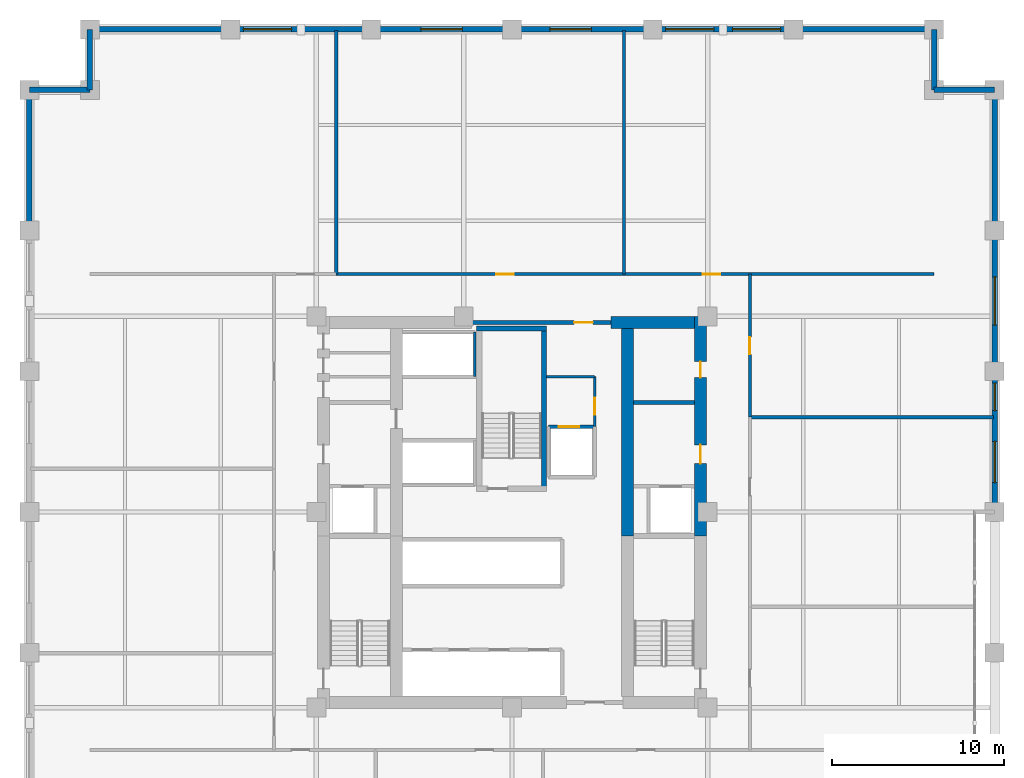
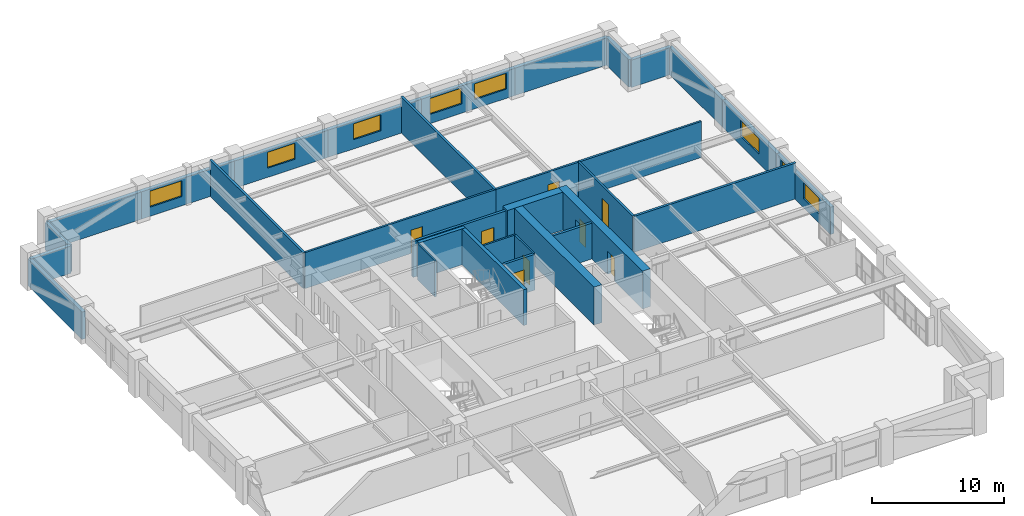
# One storey, part 6 of 10: 31 walls, 8 doors, 8 windows, 16 openings.
"""IFC4 building model written with IfcOpenShell, lengths in metres."""

from ifc_helpers import new_model, si_unit, direction, frame, frame_2d, origin, place, context, subcontext, project, spatial, rectangle, extrude, material, layer, layer_set, type_object, element, fill, save


model = new_model("IFC4")

# Units and contexts
model_context = context("Model", 3, precision=1e-05, world=origin(), true_north=direction((0.0, 1.0)))
body_context = subcontext(model_context, "Body", "Model", "MODEL_VIEW")
ifc_project = project(units=[si_unit("LENGTHUNIT", "METRE"), si_unit("AREAUNIT", "SQUARE_METRE"), si_unit("VOLUMEUNIT", "CUBIC_METRE"), si_unit("PLANEANGLEUNIT", "RADIAN"), si_unit("MASSUNIT", "GRAM", prefix="KILO")], contexts=[model_context])

# Site, building, storey
site_placement = place(None, origin())
site = spatial("IfcSite", under=ifc_project, at=site_placement, CompositionType="ELEMENT")
building_placement = place(site_placement, origin())
building = spatial("IfcBuilding", under=site, at=building_placement, Name="Nhamokura Convention Tower", CompositionType="ELEMENT")
storey_placement = place(building_placement, frame((0.0, 0.0, 89.25)))
storey = spatial("IfcBuildingStorey", under=building, at=storey_placement, Name="L21", CompositionType="ELEMENT", Elevation=89.25)

# Wall
ifc_material_1 = material(Name="Bronze-pigmented precast concrete C45/55", Category="concrete")
ifc_layer_1 = layer(ifc_material_1, 0.320068359375)
ifc_layer_set_1 = layer_set([ifc_layer_1], Name="BronzePrecastSpandrel_320")
wall_type_1 = type_object("IfcWallType", Name="BronzePrecastSpandrel_320", PredefinedType="USERDEFINED", material=ifc_layer_set_1)
wall_1_placement = place(storey_placement, frame((7.5, 60.0, 0.0), z_axis=(0.0, 0.0, 1.0), x_axis=(1.0, 0.0, 0.0)))
element("IfcWall", 1, at=wall_1_placement, inside=storey, type_object=wall_type_1, Name="L21 Braced-Bay Precast Wall NORTH 0", ObjectType="SPANDREL_WALL", PredefinedType="USERDEFINED", context=body_context, shape_type="SweptSolid", body=[
    extrude(rectangle(XDim=8.166748046875, YDim=0.320068359375, at=frame_2d((4.08349609375, 0.0))), origin(), (0.0, 0.0, 1.0), 2.52001953125),
])

# Wall, opening, window
wall_2_placement = place(storey_placement, frame((15.666748046875, 60.0, 0.0), z_axis=(0.0, 0.0, 1.0), x_axis=(1.0, 0.0, 0.0)))
wall_2 = element("IfcWall", 2, at=wall_2_placement, inside=storey, type_object=wall_type_1, Name="L21 Masonry-Frame Wall NORTH 1", ObjectType="SPANDREL_WALL", PredefinedType="USERDEFINED", context=body_context, shape_type="SweptSolid", body=[
    extrude(rectangle(XDim=8.16650390625, YDim=0.320068359375, at=frame_2d((4.083251953125, 0.0))), origin(), (0.0, 0.0, 1.0), 2.52001953125),
])
opening_1_placement = place(wall_2_placement, frame((0.74169921875, 0.0, 0.85009765625)))
opening_1 = element("IfcOpeningElement", 3, at=opening_1_placement, cuts=wall_2, Name="Opening W-04", PredefinedType="OPENING", context=body_context, shape_type="SweptSolid", body=[
    extrude(rectangle(XDim=2.800048828125, YDim=1.469970703125, at=frame_2d((1.39990234375, 0.73486328125))), frame((0.0, 0.169921875, 0.0), z_axis=(0.0, -1.0, 0.0), x_axis=(1.0, 0.0, 0.0)), (0.0, 0.0, 1.0), 0.340087890625),
])
ifc_material_2 = material(Name="Solar-control bronze low-E double glass", Category="glass")
window_type_1 = type_object("IfcWindowType", Name="HotelSuiteWindow_2800", PartitioningType="DOUBLE_PANEL_VERTICAL", PredefinedType="WINDOW", material=ifc_material_2)
window_1_placement = place(opening_1_placement, origin())
window_1 = element("IfcWindow", 4, at=window_1_placement, inside=storey, type_object=window_type_1, Name="L21 Facade Window NORTH 1-1", OverallHeight=1.469970703125, OverallWidth=2.800048828125, PartitioningType="SINGLE_PANEL", PredefinedType="WINDOW", context=body_context, shape_type="SweptSolid", body=[
    extrude(rectangle(XDim=2.800048828125, YDim=1.469970703125, at=frame_2d((1.39990234375, 0.73486328125))), frame((0.0, 0.030029296875, 0.0), z_axis=(0.0, -1.0, 0.0), x_axis=(1.0, 0.0, 0.0)), (0.0, 0.0, 1.0), 0.06005859375),
])
fill(opening_1, window_1)

wall_3_placement = place(storey_placement, frame((23.833251953125, 60.0, 0.0), z_axis=(0.0, 0.0, 1.0), x_axis=(1.0, 0.0, 0.0)))
wall_3 = element("IfcWall", 5, at=wall_3_placement, inside=storey, type_object=wall_type_1, Name="L21 Masonry-Frame Wall NORTH 2", ObjectType="SPANDREL_WALL", PredefinedType="USERDEFINED", context=body_context, shape_type="SweptSolid", body=[
    extrude(rectangle(XDim=8.166748046875, YDim=0.320068359375, at=frame_2d((4.08349609375, 0.0))), origin(), (0.0, 0.0, 1.0), 2.52001953125),
])
opening_2_placement = place(wall_3_placement, frame((2.88330078125, 0.0, 0.85009765625)))
opening_2 = element("IfcOpeningElement", 6, at=opening_2_placement, cuts=wall_3, Name="Opening W-03", PredefinedType="OPENING", context=body_context, shape_type="SweptSolid", body=[
    extrude(rectangle(XDim=2.39990234375, YDim=1.469970703125, at=frame_2d((1.199951171875, 0.73486328125))), frame((0.0, 0.169921875, 0.0), z_axis=(0.0, -1.0, 0.0), x_axis=(1.0, 0.0, 0.0)), (0.0, 0.0, 1.0), 0.340087890625),
])
ifc_material_3 = material(Name="Solar-control bronze low-E double glass", Category="glass")
window_type_2 = type_object("IfcWindowType", Name="HotelBayWindow_2400", PartitioningType="DOUBLE_PANEL_VERTICAL", PredefinedType="WINDOW", material=ifc_material_3)
window_2_placement = place(opening_2_placement, origin())
window_2 = element("IfcWindow", 7, at=window_2_placement, inside=storey, type_object=window_type_2, Name="L21 Facade Window NORTH 2", OverallHeight=1.469970703125, OverallWidth=2.39990234375, PartitioningType="SINGLE_PANEL", PredefinedType="WINDOW", context=body_context, shape_type="SweptSolid", body=[
    extrude(rectangle(XDim=2.39990234375, YDim=1.469970703125, at=frame_2d((1.199951171875, 0.73486328125))), frame((0.0, 0.030029296875, 0.0), z_axis=(0.0, -1.0, 0.0), x_axis=(1.0, 0.0, 0.0)), (0.0, 0.0, 1.0), 0.06005859375),
])
fill(opening_2, window_2)

wall_4_placement = place(storey_placement, frame((32.0, 60.0, 0.0), z_axis=(0.0, 0.0, 1.0), x_axis=(1.0, 0.0, 0.0)))
wall_4 = element("IfcWall", 8, at=wall_4_placement, inside=storey, type_object=wall_type_1, Name="L21 Masonry-Frame Wall NORTH 3", ObjectType="SPANDREL_WALL", PredefinedType="USERDEFINED", context=body_context, shape_type="SweptSolid", body=[
    extrude(rectangle(XDim=8.166748046875, YDim=0.320068359375, at=frame_2d((4.08349609375, 0.0))), origin(), (0.0, 0.0, 1.0), 2.52001953125),
])
opening_3_placement = place(wall_4_placement, frame((2.199951171875, 0.0, 0.85009765625)))
opening_3 = element("IfcOpeningElement", 9, at=opening_3_placement, cuts=wall_4, Name="Opening W-03", PredefinedType="OPENING", context=body_context, shape_type="SweptSolid", body=[
    extrude(rectangle(XDim=2.39990234375, YDim=1.469970703125, at=frame_2d((1.199951171875, 0.73486328125))), frame((0.0, 0.169921875, 0.0), z_axis=(0.0, -1.0, 0.0), x_axis=(1.0, 0.0, 0.0)), (0.0, 0.0, 1.0), 0.340087890625),
])
window_3_placement = place(opening_3_placement, origin())
window_3 = element("IfcWindow", 10, at=window_3_placement, inside=storey, type_object=window_type_2, Name="L21 Facade Window NORTH 3-1", OverallHeight=1.469970703125, OverallWidth=2.39990234375, PartitioningType="SINGLE_PANEL", PredefinedType="WINDOW", context=body_context, shape_type="SweptSolid", body=[
    extrude(rectangle(XDim=2.39990234375, YDim=1.469970703125, at=frame_2d((1.199951171875, 0.73486328125))), frame((0.0, 0.030029296875, 0.0), z_axis=(0.0, -1.0, 0.0), x_axis=(1.0, 0.0, 0.0)), (0.0, 0.0, 1.0), 0.06005859375),
])
fill(opening_3, window_3)

# Wall, openings, windows
wall_5_placement = place(storey_placement, frame((40.166748046875, 60.0, 0.0), z_axis=(0.0, 0.0, 1.0), x_axis=(1.0, 0.0, 0.0)))
wall_5 = element("IfcWall", 11, at=wall_5_placement, inside=storey, type_object=wall_type_1, Name="L21 Masonry-Frame Wall NORTH 4", ObjectType="SPANDREL_WALL", PredefinedType="USERDEFINED", context=body_context, shape_type="SweptSolid", body=[
    extrude(rectangle(XDim=8.16650390625, YDim=0.320068359375, at=frame_2d((4.083251953125, 0.0))), origin(), (0.0, 0.0, 1.0), 2.52001953125),
])
opening_4_placement = place(wall_5_placement, frame((0.74169921875, 0.0, 0.85009765625)))
opening_4 = element("IfcOpeningElement", 12, at=opening_4_placement, cuts=wall_5, Name="Opening W-04", PredefinedType="OPENING", context=body_context, shape_type="SweptSolid", body=[
    extrude(rectangle(XDim=2.800048828125, YDim=1.469970703125, at=frame_2d((1.39990234375, 0.73486328125))), frame((0.0, 0.169921875, 0.0), z_axis=(0.0, -1.0, 0.0), x_axis=(1.0, 0.0, 0.0)), (0.0, 0.0, 1.0), 0.340087890625),
])
opening_5_placement = place(wall_5_placement, frame((4.625, 0.0, 0.85009765625)))
opening_5 = element("IfcOpeningElement", 13, at=opening_5_placement, cuts=wall_5, Name="Opening W-04", PredefinedType="OPENING", context=body_context, shape_type="SweptSolid", body=[
    extrude(rectangle(XDim=2.800048828125, YDim=1.469970703125, at=frame_2d((1.39990234375, 0.73486328125))), frame((0.0, 0.169921875, 0.0), z_axis=(0.0, -1.0, 0.0), x_axis=(1.0, 0.0, 0.0)), (0.0, 0.0, 1.0), 0.340087890625),
])
window_4_placement = place(opening_4_placement, origin())
window_4 = element("IfcWindow", 14, at=window_4_placement, inside=storey, type_object=window_type_1, Name="L21 Facade Window NORTH 4-1", OverallHeight=1.469970703125, OverallWidth=2.800048828125, PartitioningType="SINGLE_PANEL", PredefinedType="WINDOW", context=body_context, shape_type="SweptSolid", body=[
    extrude(rectangle(XDim=2.800048828125, YDim=1.469970703125, at=frame_2d((1.39990234375, 0.73486328125))), frame((0.0, 0.030029296875, 0.0), z_axis=(0.0, -1.0, 0.0), x_axis=(1.0, 0.0, 0.0)), (0.0, 0.0, 1.0), 0.06005859375),
])
fill(opening_4, window_4)
window_5_placement = place(opening_5_placement, origin())
window_5 = element("IfcWindow", 15, at=window_5_placement, inside=storey, type_object=window_type_1, Name="L21 Facade Window NORTH 4-2", OverallHeight=1.469970703125, OverallWidth=2.800048828125, PartitioningType="SINGLE_PANEL", PredefinedType="WINDOW", context=body_context, shape_type="SweptSolid", body=[
    extrude(rectangle(XDim=2.800048828125, YDim=1.469970703125, at=frame_2d((1.39990234375, 0.73486328125))), frame((0.0, 0.030029296875, 0.0), z_axis=(0.0, -1.0, 0.0), x_axis=(1.0, 0.0, 0.0)), (0.0, 0.0, 1.0), 0.06005859375),
])
fill(opening_5, window_5)

# Walls
for number, where, z_axis, x_axis, name in (
    (16, (48.333251953125, 60.0, 0.0), (0.0, 0.0, 1.0), (1.0, 0.0, 0.0), "L21 Braced-Bay Precast Wall NORTH 5"),
    (17, (4.0, 48.333251953125, 0.0), (0.0, 0.0, 1.0), (0.0, 1.0, 0.0), "L21 Braced-Bay Precast Wall WEST 5"),
):
    element("IfcWall", number, at=place(storey_placement, frame(where, z_axis=z_axis, x_axis=x_axis)), inside=storey, type_object=wall_type_1, Name=name, ObjectType="SPANDREL_WALL", PredefinedType="USERDEFINED", context=body_context, shape_type="SweptSolid", body=[
        extrude(rectangle(XDim=8.166748046875, YDim=0.320068359375, at=frame_2d((4.08349609375, 0.0))), origin(), (0.0, 0.0, 1.0), 2.52001953125),
    ])

# Wall, openings, windows
wall_6_placement = place(storey_placement, frame((60.0, 40.166748046875, 0.0), z_axis=(0.0, 0.0, 1.0), x_axis=(0.0, -1.0, 0.0)))
wall_6 = element("IfcWall", 18, at=wall_6_placement, inside=storey, type_object=wall_type_1, Name="L21 Masonry-Frame Wall EAST 3", ObjectType="SPANDREL_WALL", PredefinedType="USERDEFINED", context=body_context, shape_type="SweptSolid", body=[
    extrude(rectangle(XDim=8.166748046875, YDim=0.320068359375, at=frame_2d((4.08349609375, 0.0))), origin(), (0.0, 0.0, 1.0), 2.52001953125),
])
opening_6_placement = place(wall_6_placement, frame((0.683349609375, 0.0, 0.85009765625)))
opening_6 = element("IfcOpeningElement", 19, at=opening_6_placement, cuts=wall_6, Name="Opening W-11", PredefinedType="OPENING", context=body_context, shape_type="SweptSolid", body=[
    extrude(rectangle(XDim=1.60009765625, YDim=1.469970703125, at=frame_2d((0.800048828125, 0.73486328125))), frame((0.0, 0.169921875, 0.0), z_axis=(0.0, -1.0, 0.0), x_axis=(1.0, 0.0, 0.0)), (0.0, 0.0, 1.0), 0.340087890625),
])
opening_7_placement = place(wall_6_placement, frame((4.066650390625, 0.0, 0.85009765625)))
opening_7 = element("IfcOpeningElement", 20, at=opening_7_placement, cuts=wall_6, Name="Opening W-03", PredefinedType="OPENING", context=body_context, shape_type="SweptSolid", body=[
    extrude(rectangle(XDim=2.39990234375, YDim=1.469970703125, at=frame_2d((1.199951171875, 0.73486328125))), frame((0.0, 0.169921875, 0.0), z_axis=(0.0, -1.0, 0.0), x_axis=(1.0, 0.0, 0.0)), (0.0, 0.0, 1.0), 0.340087890625),
])
window_6_placement = place(opening_7_placement, origin())
window_6 = element("IfcWindow", 21, at=window_6_placement, inside=storey, type_object=window_type_2, Name="L21 Facade Window EAST 3-2", OverallHeight=1.469970703125, OverallWidth=2.39990234375, PartitioningType="SINGLE_PANEL", PredefinedType="WINDOW", context=body_context, shape_type="SweptSolid", body=[
    extrude(rectangle(XDim=2.39990234375, YDim=1.469970703125, at=frame_2d((1.199951171875, 0.73486328125))), frame((0.0, 0.030029296875, 0.0), z_axis=(0.0, -1.0, 0.0), x_axis=(1.0, 0.0, 0.0)), (0.0, 0.0, 1.0), 0.06005859375),
])
fill(opening_7, window_6)
ifc_material_4 = material(Name="Solar-control bronze low-E double glass", Category="glass")
window_type_3 = type_object("IfcWindowType", Name="NotchCornerWindow_1600", PartitioningType="SINGLE_PANEL", PredefinedType="WINDOW", material=ifc_material_4)
window_7_placement = place(opening_6_placement, origin())
window_7 = element("IfcWindow", 22, at=window_7_placement, inside=storey, type_object=window_type_3, Name="L21 Facade Window EAST 3-1", OverallHeight=1.469970703125, OverallWidth=1.60009765625, PartitioningType="SINGLE_PANEL", PredefinedType="WINDOW", context=body_context, shape_type="SweptSolid", body=[
    extrude(rectangle(XDim=1.60009765625, YDim=1.469970703125, at=frame_2d((0.800048828125, 0.73486328125))), frame((0.0, 0.030029296875, 0.0), z_axis=(0.0, -1.0, 0.0), x_axis=(1.0, 0.0, 0.0)), (0.0, 0.0, 1.0), 0.06005859375),
])
fill(opening_6, window_7)

# Wall, opening, window
wall_7_placement = place(storey_placement, frame((60.0, 48.333251953125, 0.0), z_axis=(0.0, 0.0, 1.0), x_axis=(0.0, -1.0, 0.0)))
wall_7 = element("IfcWall", 23, at=wall_7_placement, inside=storey, type_object=wall_type_1, Name="L21 Masonry-Frame Wall EAST 4", ObjectType="SPANDREL_WALL", PredefinedType="USERDEFINED", context=body_context, shape_type="SweptSolid", body=[
    extrude(rectangle(XDim=8.16650390625, YDim=0.320068359375, at=frame_2d((4.083251953125, 0.0))), origin(), (0.0, 0.0, 1.0), 2.52001953125),
])
opening_8_placement = place(wall_7_placement, frame((2.683349609375, 0.0, 0.85009765625)))
opening_8 = element("IfcOpeningElement", 24, at=opening_8_placement, cuts=wall_7, Name="Opening W-04", PredefinedType="OPENING", context=body_context, shape_type="SweptSolid", body=[
    extrude(rectangle(XDim=2.800048828125, YDim=1.469970703125, at=frame_2d((1.39990234375, 0.73486328125))), frame((0.0, 0.169921875, 0.0), z_axis=(0.0, -1.0, 0.0), x_axis=(1.0, 0.0, 0.0)), (0.0, 0.0, 1.0), 0.340087890625),
])
window_8_placement = place(opening_8_placement, origin())
window_8 = element("IfcWindow", 25, at=window_8_placement, inside=storey, type_object=window_type_1, Name="L21 Facade Window EAST 4", OverallHeight=1.469970703125, OverallWidth=2.800048828125, PartitioningType="SINGLE_PANEL", PredefinedType="WINDOW", context=body_context, shape_type="SweptSolid", body=[
    extrude(rectangle(XDim=2.800048828125, YDim=1.469970703125, at=frame_2d((1.39990234375, 0.73486328125))), frame((0.0, 0.030029296875, 0.0), z_axis=(0.0, -1.0, 0.0), x_axis=(1.0, 0.0, 0.0)), (0.0, 0.0, 1.0), 0.06005859375),
])
fill(opening_8, window_8)

# Walls
wall_8_placement = place(storey_placement, frame((60.0, 56.5, 0.0), z_axis=(0.0, 0.0, 1.0), x_axis=(0.0, -1.0, 0.0)))
element("IfcWall", 26, at=wall_8_placement, inside=storey, type_object=wall_type_1, Name="L21 Braced-Bay Precast Wall EAST 5", ObjectType="SPANDREL_WALL", PredefinedType="USERDEFINED", context=body_context, shape_type="SweptSolid", body=[
    extrude(rectangle(XDim=8.166748046875, YDim=0.320068359375, at=frame_2d((4.08349609375, 0.0))), origin(), (0.0, 0.0, 1.0), 2.52001953125),
])
for number, where, z_axis, x_axis, name in (
    (27, (56.5, 56.5, 0.0), (0.0, 0.0, 1.0), (1.0, 0.0, 0.0), "L21 Notched Corner Wall NE1"),
    (28, (56.5, 60.0, 0.0), (0.0, 0.0, 1.0), (0.0, -1.0, 0.0), "L21 Notched Corner Wall NE2"),
    (29, (7.5, 56.5, 0.0), (0.0, 0.0, 1.0), (0.0, 1.0, 0.0), "L21 Notched Corner Wall NW1"),
    (30, (4.0, 56.5, 0.0), (0.0, 0.0, 1.0), (1.0, 0.0, 0.0), "L21 Notched Corner Wall NW2"),
):
    element("IfcWall", number, at=place(storey_placement, frame(where, z_axis=z_axis, x_axis=x_axis)), inside=storey, type_object=wall_type_1, Name=name, ObjectType="SPANDREL_WALL", PredefinedType="USERDEFINED", context=body_context, shape_type="SweptSolid", body=[
        extrude(rectangle(XDim=3.5, YDim=0.320068359375, at=frame_2d((1.75, 0.0))), origin(), (0.0, 0.0, 1.0), 2.52001953125),
    ])

# Wall, openings, doors
ifc_material_5 = material(Name="Concrete C70/85", Category="concrete")
ifc_layer_2 = layer(ifc_material_5, 0.699951171875)
ifc_layer_set_2 = layer_set([ifc_layer_2], Name="CoreShearWall_700")
wall_type_2 = type_object("IfcWallType", Name="CoreShearWall_700", PredefinedType="SHEAR", material=ifc_layer_set_2)
wall_9_placement = place(storey_placement, frame((42.93994140625, 30.60009765625, 0.0), z_axis=(0.0, 0.0, 1.0), x_axis=(0.0, 1.0, 0.0)))
wall_9 = element("IfcWall", 31, at=wall_9_placement, inside=storey, type_object=wall_type_2, Name="L21 Core Shear Wall CW-EN", PredefinedType="SHEAR", context=body_context, shape_type="SweptSolid", body=[
    extrude(rectangle(XDim=12.75, YDim=0.699951171875, at=frame_2d((6.375, 0.0))), origin(), (0.0, 0.0, 1.0), 3.5),
])
opening_9_placement = place(wall_9_placement, frame((4.199951171875, 0.0, 0.0)))
opening_9 = element("IfcOpeningElement", 32, at=opening_9_placement, cuts=wall_9, Name="Opening D-05", PredefinedType="OPENING", context=body_context, shape_type="SweptSolid", body=[
    extrude(rectangle(XDim=1.10009765625, YDim=2.14990234375, at=frame_2d((0.550048828125, 1.074951171875))), frame((0.0, 0.35986328125, 0.0), z_axis=(0.0, -1.0, 0.0), x_axis=(1.0, 0.0, 0.0)), (0.0, 0.0, 1.0), 0.719970703125),
])
opening_10_placement = place(wall_9_placement, frame((9.199951171875, 0.0, 0.0)))
opening_10 = element("IfcOpeningElement", 33, at=opening_10_placement, cuts=wall_9, Name="Opening D-10", PredefinedType="OPENING", context=body_context, shape_type="SweptSolid", body=[
    extrude(rectangle(XDim=0.919921875, YDim=2.10009765625, at=frame_2d((0.4599609375, 1.050048828125))), frame((0.0, 0.35986328125, 0.0), z_axis=(0.0, -1.0, 0.0), x_axis=(1.0, 0.0, 0.0)), (0.0, 0.0, 1.0), 0.719970703125),
])
ifc_material_6 = material(Name="Solid oak hardwood", Category="wood")
door_type_1 = type_object("IfcDoorType", Name="AccessibleWCDoor_920", OperationType="NOTDEFINED", PredefinedType="DOOR", material=ifc_material_6)
door_1_placement = place(opening_10_placement, origin())
door_1 = element("IfcDoor", 34, at=door_1_placement, inside=storey, type_object=door_type_1, Name="L21 Core Door INT-L21-D-UWC", OperationType="SINGLE_SWING_RIGHT", OverallHeight=2.10009765625, OverallWidth=0.919921875, PredefinedType="DOOR", context=body_context, shape_type="SweptSolid", body=[
    extrude(rectangle(XDim=0.919921875, YDim=2.10009765625, at=frame_2d((0.4599609375, 1.050048828125))), frame((0.0, 0.02490234375, 0.0), z_axis=(0.0, -1.0, 0.0), x_axis=(1.0, 0.0, 0.0)), (0.0, 0.0, 1.0), 0.050048828125),
])
fill(opening_10, door_1)
ifc_material_7 = material(Name="Fire-rated steel door", Category="steel")
door_type_2 = type_object("IfcDoorType", Name="FireLobbyDoor_1100", OperationType="NOTDEFINED", PredefinedType="DOOR", material=ifc_material_7)
door_2_placement = place(opening_9_placement, origin())
door_2 = element("IfcDoor", 35, at=door_2_placement, inside=storey, type_object=door_type_2, Name="L21 Core Door INT-L21-D-FFLE", OperationType="SINGLE_SWING_LEFT", OverallHeight=2.14990234375, OverallWidth=1.10009765625, PredefinedType="DOOR", context=body_context, shape_type="SweptSolid", body=[
    extrude(rectangle(XDim=1.10009765625, YDim=2.14990234375, at=frame_2d((0.550048828125, 1.074951171875))), frame((0.0, 0.02490234375, 0.0), z_axis=(0.0, -1.0, 0.0), x_axis=(1.0, 0.0, 0.0)), (0.0, 0.0, 1.0), 0.050048828125),
])
fill(opening_9, door_2)

# Walls
wall_10_placement = place(storey_placement, frame((37.75, 43.0, 0.0), z_axis=(0.0, 0.0, 1.0), x_axis=(1.0, 0.0, 0.0)))
element("IfcWall", 36, at=wall_10_placement, inside=storey, type_object=wall_type_2, Name="L21 Core Shear Wall CW-N2", PredefinedType="SHEAR", context=body_context, shape_type="SweptSolid", body=[
    extrude(rectangle(XDim=4.840087890625, YDim=0.699951171875, at=frame_2d((2.419921875, 0.0))), origin(), (0.0, 0.0, 1.0), 3.5),
])
wall_11_placement = place(storey_placement, frame((38.7099609375, 30.60009765625, 0.0), z_axis=(0.0, 0.0, 1.0), x_axis=(0.0, 1.0, 0.0)))
element("IfcWall", 37, at=wall_11_placement, inside=storey, type_object=wall_type_2, Name="L21 Core Shear Wall CW-IEN", PredefinedType="SHEAR", context=body_context, shape_type="SweptSolid", body=[
    extrude(rectangle(XDim=12.0498046875, YDim=0.699951171875, at=frame_2d((6.02490234375, 0.0))), origin(), (0.0, 0.0, 1.0), 3.5),
])

# Wall, opening, door
ifc_material_8 = material(Name="Fire-rated gypsum and masonry partition", Category="masonry")
ifc_layer_3 = layer(ifc_material_8, 0.179931640625)
ifc_layer_set_3 = layer_set([ifc_layer_3], Name="CorridorRatedWall_180")
wall_type_3 = type_object("IfcWallType", Name="CorridorRatedWall_180", PredefinedType="STANDARD", material=ifc_layer_set_3)
wall_12_placement = place(storey_placement, frame((21.800048828125, 45.800048828125, 0.0), z_axis=(0.0, 0.0, 1.0), x_axis=(1.0, 0.0, 0.0)))
wall_12 = element("IfcWall", 38, at=wall_12_placement, inside=storey, type_object=wall_type_3, Name="L21 Wall INT-L21-CW-N01", PredefinedType="STANDARD", context=body_context, shape_type="SweptSolid", body=[
    extrude(rectangle(XDim=16.699951171875, YDim=0.179931640625, at=frame_2d((8.35009765625, 0.0))), origin(), (0.0, 0.0, 1.0), 3.320068359375),
])
opening_11_placement = place(wall_12_placement, frame((9.300048828125, 0.0, 0.0)))
opening_11 = element("IfcOpeningElement", 39, at=opening_11_placement, cuts=wall_12, Name="Opening D-07", PredefinedType="OPENING", context=body_context, shape_type="SweptSolid", body=[
    extrude(rectangle(XDim=1.0, YDim=2.14990234375, at=frame_2d((0.5, 1.074951171875))), frame((0.0, 0.099853515625, 0.0), z_axis=(0.0, -1.0, 0.0), x_axis=(1.0, 0.0, 0.0)), (0.0, 0.0, 1.0), 0.199951171875),
])
ifc_material_9 = material(Name="Solid oak hardwood", Category="wood")
door_type_3 = type_object("IfcDoorType", Name="HotelSuiteEntryDoor_1000", OperationType="NOTDEFINED", PredefinedType="DOOR", material=ifc_material_9)
door_3_placement = place(opening_11_placement, origin())
door_3 = element("IfcDoor", 40, at=door_3_placement, inside=storey, type_object=door_type_3, Name="L21 Delegate Lounge N02 Door", OperationType="SINGLE_SWING_RIGHT", OverallHeight=2.14990234375, OverallWidth=1.0, PredefinedType="DOOR", context=body_context, shape_type="SweptSolid", body=[
    extrude(rectangle(XDim=1.0, YDim=2.14990234375, at=frame_2d((0.5, 1.074951171875))), frame((0.0, 0.02490234375, 0.0), z_axis=(0.0, -1.0, 0.0), x_axis=(1.0, 0.0, 0.0)), (0.0, 0.0, 1.0), 0.050048828125),
])
fill(opening_11, door_3)

wall_13_placement = place(storey_placement, frame((38.5, 45.800048828125, 0.0), z_axis=(0.0, 0.0, 1.0), x_axis=(1.0, 0.0, 0.0)))
wall_13 = element("IfcWall", 41, at=wall_13_placement, inside=storey, type_object=wall_type_3, Name="L21 Wall INT-L21-CW-N02", PredefinedType="STANDARD", context=body_context, shape_type="SweptSolid", body=[
    extrude(rectangle(XDim=18.0, YDim=0.179931640625, at=frame_2d((9.0, 0.0))), origin(), (0.0, 0.0, 1.0), 3.320068359375),
])
opening_12_placement = place(wall_13_placement, frame((4.574951171875, 0.0, 0.0)))
opening_12 = element("IfcOpeningElement", 42, at=opening_12_placement, cuts=wall_13, Name="Opening D-07", PredefinedType="OPENING", context=body_context, shape_type="SweptSolid", body=[
    extrude(rectangle(XDim=1.0, YDim=2.14990234375, at=frame_2d((0.5, 1.074951171875))), frame((0.0, 0.099853515625, 0.0), z_axis=(0.0, -1.0, 0.0), x_axis=(1.0, 0.0, 0.0)), (0.0, 0.0, 1.0), 0.199951171875),
])
door_4_placement = place(opening_12_placement, origin())
door_4 = element("IfcDoor", 43, at=door_4_placement, inside=storey, type_object=door_type_3, Name="L21 Conference Salon N03 Door", OperationType="SINGLE_SWING_LEFT", OverallHeight=2.14990234375, OverallWidth=1.0, PredefinedType="DOOR", context=body_context, shape_type="SweptSolid", body=[
    extrude(rectangle(XDim=1.0, YDim=2.14990234375, at=frame_2d((0.5, 1.074951171875))), frame((0.0, 0.02490234375, 0.0), z_axis=(0.0, -1.0, 0.0), x_axis=(1.0, 0.0, 0.0)), (0.0, 0.0, 1.0), 0.050048828125),
])
fill(opening_12, door_4)

wall_14_placement = place(storey_placement, frame((45.800048828125, 37.5, 0.0), z_axis=(0.0, 0.0, 1.0), x_axis=(0.0, 1.0, 0.0)))
wall_14 = element("IfcWall", 44, at=wall_14_placement, inside=storey, type_object=wall_type_3, Name="L21 Wall INT-L21-CW-E02", PredefinedType="STANDARD", context=body_context, shape_type="SweptSolid", body=[
    extrude(rectangle(XDim=8.300048828125, YDim=0.179931640625, at=frame_2d((4.14990234375, 0.0))), origin(), (0.0, 0.0, 1.0), 3.320068359375),
])
opening_13_placement = place(wall_14_placement, frame((3.64990234375, 0.0, 0.0)))
opening_13 = element("IfcOpeningElement", 45, at=opening_13_placement, cuts=wall_14, Name="Opening D-07", PredefinedType="OPENING", context=body_context, shape_type="SweptSolid", body=[
    extrude(rectangle(XDim=1.0, YDim=2.14990234375, at=frame_2d((0.5, 1.074951171875))), frame((0.0, 0.099853515625, 0.0), z_axis=(0.0, -1.0, 0.0), x_axis=(1.0, 0.0, 0.0)), (0.0, 0.0, 1.0), 0.199951171875),
])
door_5_placement = place(opening_13_placement, origin())
door_5 = element("IfcDoor", 46, at=door_5_placement, inside=storey, type_object=door_type_3, Name="L21 Pantry E03 Door", OperationType="SINGLE_SWING_LEFT", OverallHeight=2.14990234375, OverallWidth=1.0, PredefinedType="DOOR", context=body_context, shape_type="SweptSolid", body=[
    extrude(rectangle(XDim=1.0, YDim=2.14990234375, at=frame_2d((0.5, 1.074951171875))), frame((0.0, 0.02490234375, 0.0), z_axis=(0.0, -1.0, 0.0), x_axis=(1.0, 0.0, 0.0)), (0.0, 0.0, 1.0), 0.050048828125),
])
fill(opening_13, door_5)

# Wall
ifc_material_10 = material(Name="Autoclaved concrete blockwork", Category="masonry")
ifc_layer_4 = layer(ifc_material_10, 0.219970703125)
ifc_layer_set_4 = layer_set([ifc_layer_4], Name="FireLobbyWall_220")
wall_type_4 = type_object("IfcWallType", Name="FireLobbyWall_220", PredefinedType="STANDARD", material=ifc_layer_set_4)
wall_15_placement = place(storey_placement, frame((39.06005859375, 38.35009765625, 0.0), z_axis=(0.0, 0.0, 1.0), x_axis=(1.0, 0.0, 0.0)))
element("IfcWall", 47, at=wall_15_placement, inside=storey, type_object=wall_type_4, Name="L21 Wall INT-L21-FFE-N", PredefinedType="STANDARD", context=body_context, shape_type="SweptSolid", body=[
    extrude(rectangle(XDim=3.530029296875, YDim=0.219970703125, at=frame_2d((1.76513671875, 0.0))), origin(), (0.0, 0.0, 1.0), 3.320068359375),
])

# Wall, opening, door
wall_16_placement = place(storey_placement, frame((29.64990234375, 43.0, 0.0), z_axis=(0.0, 0.0, 1.0), x_axis=(1.0, 0.0, 0.0)))
wall_16 = element("IfcWall", 48, at=wall_16_placement, inside=storey, type_object=wall_type_4, Name="L21 Wall INT-L21-CPORT-N", PredefinedType="STANDARD", context=body_context, shape_type="SweptSolid", body=[
    extrude(rectangle(XDim=8.10009765625, YDim=0.219970703125, at=frame_2d((4.050048828125, 0.0))), origin(), (0.0, 0.0, 1.0), 3.320068359375),
])
opening_14_placement = place(wall_16_placement, frame((5.949951171875, 0.0, 0.0)))
opening_14 = element("IfcOpeningElement", 49, at=opening_14_placement, cuts=wall_16, Name="Opening D-05", PredefinedType="OPENING", context=body_context, shape_type="SweptSolid", body=[
    extrude(rectangle(XDim=1.10009765625, YDim=2.14990234375, at=frame_2d((0.550048828125, 1.074951171875))), frame((0.0, 0.119873046875, 0.0), z_axis=(0.0, -1.0, 0.0), x_axis=(1.0, 0.0, 0.0)), (0.0, 0.0, 1.0), 0.239990234375),
])
door_6_placement = place(opening_14_placement, origin())
door_6 = element("IfcDoor", 50, at=door_6_placement, inside=storey, type_object=door_type_2, Name="L21 North Core Lobby Portal Door", OperationType="SINGLE_SWING_RIGHT", OverallHeight=2.14990234375, OverallWidth=1.10009765625, PredefinedType="DOOR", context=body_context, shape_type="SweptSolid", body=[
    extrude(rectangle(XDim=1.10009765625, YDim=2.14990234375, at=frame_2d((0.550048828125, 1.074951171875))), frame((0.0, 0.02490234375, 0.0), z_axis=(0.0, -1.0, 0.0), x_axis=(1.0, 0.0, 0.0)), (0.0, 0.0, 1.0), 0.050048828125),
])
fill(opening_14, door_6)

wall_17_placement = place(storey_placement, frame((34.1201171875, 36.949951171875, 0.0), z_axis=(0.0, 0.0, 1.0), x_axis=(1.0, 0.0, 0.0)))
wall_17 = element("IfcWall", 51, at=wall_17_placement, inside=storey, type_object=wall_type_4, Name="L21 Wall INT-L21-LSN", PredefinedType="STANDARD", context=body_context, shape_type="SweptSolid", body=[
    extrude(rectangle(XDim=2.679931640625, YDim=0.219970703125, at=frame_2d((1.33984375, 0.0))), origin(), (0.0, 0.0, 1.0), 3.320068359375),
])
opening_15_placement = place(wall_17_placement, frame((0.580078125, 0.0, 0.0)))
opening_15 = element("IfcOpeningElement", 52, at=opening_15_placement, cuts=wall_17, Name="Opening LD-02", PredefinedType="OPENING", context=body_context, shape_type="SweptSolid", body=[
    extrude(rectangle(XDim=1.199951171875, YDim=2.199951171875, at=frame_2d((0.60009765625, 1.10009765625))), frame((0.0, 0.119873046875, 0.0), z_axis=(0.0, -1.0, 0.0), x_axis=(1.0, 0.0, 0.0)), (0.0, 0.0, 1.0), 0.239990234375),
])
ifc_material_11 = material(Name="Anodised bronze stainless steel", Category="steel")
door_type_4 = type_object("IfcDoorType", Name="LiftLandingDoor_FireService", OperationType="DOUBLE_DOOR_SLIDING", PredefinedType="DOOR", material=ifc_material_11)
door_7_placement = place(opening_15_placement, origin())
door_7 = element("IfcDoor", 53, at=door_7_placement, inside=storey, type_object=door_type_4, Name="L21 Service Lift LS-01 Door", OperationType="DOUBLE_DOOR_SLIDING", OverallHeight=2.199951171875, OverallWidth=1.199951171875, PredefinedType="DOOR", context=body_context, shape_type="SweptSolid", body=[
    extrude(rectangle(XDim=1.199951171875, YDim=2.199951171875, at=frame_2d((0.60009765625, 1.10009765625))), frame((0.0, 0.02490234375, 0.0), z_axis=(0.0, -1.0, 0.0), x_axis=(1.0, 0.0, 0.0)), (0.0, 0.0, 1.0), 0.050048828125),
])
fill(opening_15, door_7)

# Walls
ifc_material_12 = material(Name="Acoustic twin-stud gypsum partition", Category="masonry")
ifc_layer_5 = layer(ifc_material_12, 0.199951171875)
ifc_layer_set_5 = layer_set([ifc_layer_5], Name="HotelDemisingWall_200")
wall_type_5 = type_object("IfcWallType", Name="HotelDemisingWall_200", PredefinedType="STANDARD", material=ifc_layer_set_5)
for number, where, z_axis, x_axis, name in (
    (54, (21.800048828125, 45.800048828125, 0.0), (0.0, 0.0, 1.0), (0.0, 1.0, 0.0), "L21 Wall INT-L21-RW-N01"),
    (55, (38.5, 45.800048828125, 0.0), (0.0, 0.0, 1.0), (0.0, 1.0, 0.0), "L21 Wall INT-L21-RW-N02"),
    (56, (45.800048828125, 37.5, 0.0), (0.0, 0.0, 1.0), (1.0, 0.0, 0.0), "L21 Wall INT-L21-RW-E02"),
):
    element("IfcWall", number, at=place(storey_placement, frame(where, z_axis=z_axis, x_axis=x_axis)), inside=storey, type_object=wall_type_5, Name=name, PredefinedType="STANDARD", context=body_context, shape_type="SweptSolid", body=[
        extrude(rectangle(XDim=14.139892578125, YDim=0.199951171875, at=frame_2d((7.06982421875, 0.0))), origin(), (0.0, 0.0, 1.0), 3.320068359375),
    ])
ifc_material_13 = material(Name="Acoustic gypsum stud partition", Category="masonry")
ifc_layer_6 = layer(ifc_material_13, 0.14990234375)
ifc_layer_set_6 = layer_set([ifc_layer_6], Name="InteriorPartition_150")
wall_type_6 = type_object("IfcWallType", Name="InteriorPartition_150", PredefinedType="STANDARD", material=ifc_layer_set_6)
wall_18_placement = place(storey_placement, frame((34.0, 39.85009765625, 0.0), z_axis=(0.0, 0.0, 1.0), x_axis=(1.0, 0.0, 0.0)))
element("IfcWall", 57, at=wall_18_placement, inside=storey, type_object=wall_type_6, Name="L21 Wall INT-L21-NE-TELN", PredefinedType="STANDARD", context=body_context, shape_type="SweptSolid", body=[
    extrude(rectangle(XDim=2.800048828125, YDim=0.14990234375, at=frame_2d((1.39990234375, 0.0))), origin(), (0.0, 0.0, 1.0), 3.320068359375),
])

# Wall, opening, door
wall_19_placement = place(storey_placement, frame((36.800048828125, 36.949951171875, 0.0), z_axis=(0.0, 0.0, 1.0), x_axis=(0.0, 1.0, 0.0)))
wall_19 = element("IfcWall", 58, at=wall_19_placement, inside=storey, type_object=wall_type_6, Name="L21 Wall INT-L21-NE-TELE", PredefinedType="STANDARD", context=body_context, shape_type="SweptSolid", body=[
    extrude(rectangle(XDim=2.900146484375, YDim=0.14990234375, at=frame_2d((1.4501953125, 0.0))), origin(), (0.0, 0.0, 1.0), 3.320068359375),
])
opening_16_placement = place(wall_19_placement, frame((0.699951171875, 0.0, 0.0)))
opening_16 = element("IfcOpeningElement", 59, at=opening_16_placement, cuts=wall_19, Name="Opening D-08", PredefinedType="OPENING", context=body_context, shape_type="SweptSolid", body=[
    extrude(rectangle(XDim=0.97998046875, YDim=2.199951171875, at=frame_2d((0.489990234375, 1.10009765625))), frame((0.0, 0.0849609375, 0.0), z_axis=(0.0, -1.0, 0.0), x_axis=(1.0, 0.0, 0.0)), (0.0, 0.0, 1.0), 0.169921875),
])
ifc_material_14 = material(Name="Solid oak hardwood", Category="wood")
door_type_5 = type_object("IfcDoorType", Name="OfficeEntryDoor_980", OperationType="NOTDEFINED", PredefinedType="DOOR", material=ifc_material_14)
door_8_placement = place(opening_16_placement, origin())
door_8 = element("IfcDoor", 60, at=door_8_placement, inside=storey, type_object=door_type_5, Name="L21 Core Telecom Door", OperationType="SINGLE_SWING_LEFT", OverallHeight=2.199951171875, OverallWidth=0.97998046875, PredefinedType="DOOR", context=body_context, shape_type="SweptSolid", body=[
    extrude(rectangle(XDim=0.97998046875, YDim=2.199951171875, at=frame_2d((0.489990234375, 1.10009765625))), frame((0.0, 0.02490234375, 0.0), z_axis=(0.0, -1.0, 0.0), x_axis=(1.0, 0.0, 0.0)), (0.0, 0.0, 1.0), 0.050048828125),
])
fill(opening_16, door_8)

# Walls
wall_20_placement = place(storey_placement, frame((29.85009765625, 39.85009765625, 0.0), z_axis=(0.0, 0.0, 1.0), x_axis=(0.0, 1.0, 0.0)))
element("IfcWall", 61, at=wall_20_placement, inside=storey, type_object=wall_type_6, Name="L21 Wall INT-L21-B3B-E", PredefinedType="STANDARD", context=body_context, shape_type="SweptSolid", body=[
    extrude(rectangle(XDim=2.599853515625, YDim=0.14990234375, at=frame_2d((1.2998046875, 0.0))), origin(), (0.0, 0.0, 1.0), 3.320068359375),
])
ifc_material_15 = material(Name="Concrete C50/60", Category="concrete")
ifc_layer_7 = layer(ifc_material_15, 0.300048828125)
ifc_layer_set_7 = layer_set([ifc_layer_7], Name="ShaftEnclosureWall_300")
wall_type_7 = type_object("IfcWallType", Name="ShaftEnclosureWall_300", PredefinedType="SHEAR", material=ifc_layer_set_7)
wall_21_placement = place(storey_placement, frame((33.85009765625, 33.199951171875, 0.0), z_axis=(0.0, 0.0, 1.0), x_axis=(0.0, 1.0, 0.0)))
element("IfcWall", 62, at=wall_21_placement, inside=storey, type_object=wall_type_7, Name="L21 Wall INT-L21-ST03E", PredefinedType="SHEAR", context=body_context, shape_type="SweptSolid", body=[
    extrude(rectangle(XDim=9.60009765625, YDim=0.300048828125, at=frame_2d((4.800048828125, 0.0))), origin(), (0.0, 0.0, 1.0), 3.320068359375),
])
wall_22_placement = place(storey_placement, frame((29.949951171875, 42.64990234375, 0.0), z_axis=(0.0, 0.0, 1.0), x_axis=(1.0, 0.0, 0.0)))
element("IfcWall", 63, at=wall_22_placement, inside=storey, type_object=wall_type_7, Name="L21 Wall INT-L21-ST03N", PredefinedType="SHEAR", context=body_context, shape_type="SweptSolid", body=[
    extrude(rectangle(XDim=4.050048828125, YDim=0.300048828125, at=frame_2d((2.02490234375, 0.0))), origin(), (0.0, 0.0, 1.0), 3.320068359375),
])

save(model, "model.ifc")
